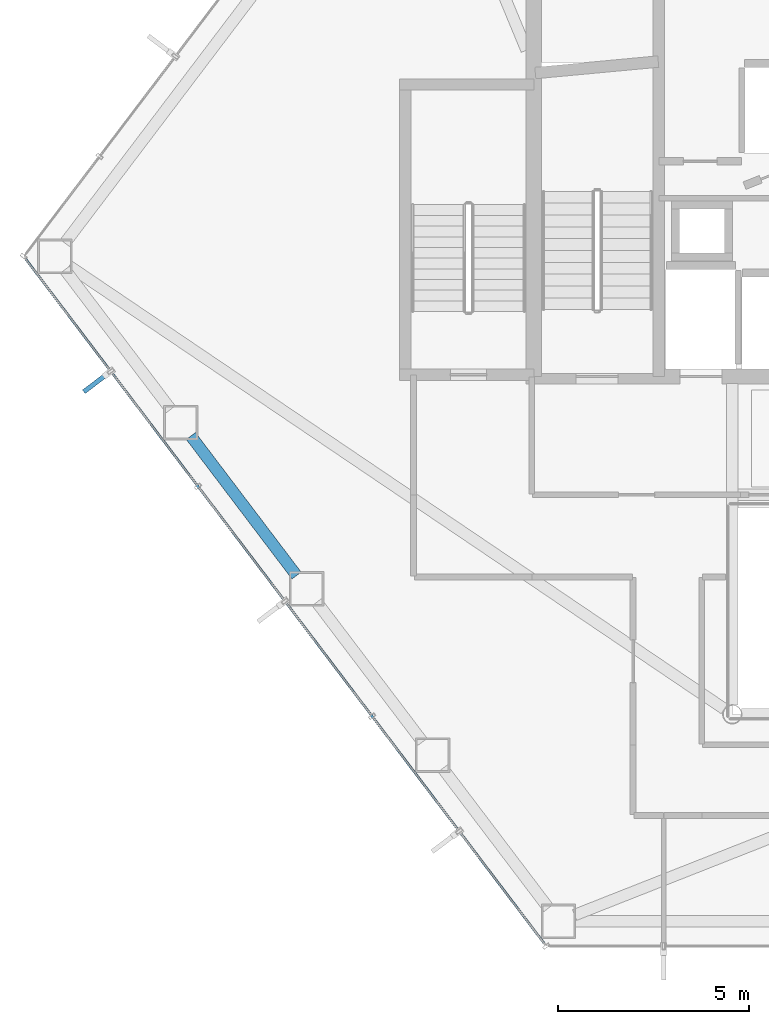
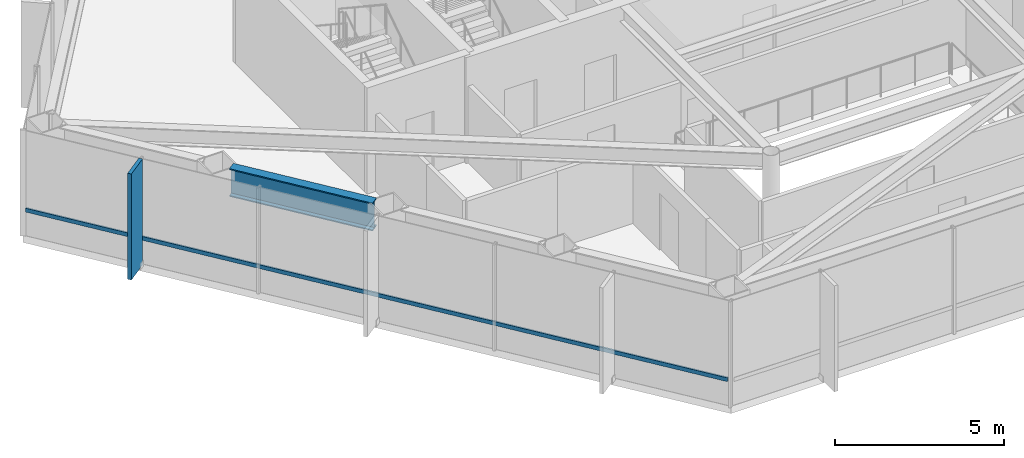
# One storey, part 3 of 24: 2 members, 1 beam, 1 element without a shape of its own.
"""IFC4 building model written with IfcOpenShell, lengths in metres."""

from ifc_helpers import new_model, si_unit, direction, frame, origin, origin_2d, place, context, subcontext, project, spatial, rectangle, hollow_rectangle, i_section, extrude, material, layer, layer_set, material_profile, profile_set, type_object, element, aggregate, save


model = new_model("IFC4")

# Units and contexts
model_context = context("Model", 3, precision=1e-05, world=origin(), true_north=direction((0.0, 1.0)))
body_context = subcontext(model_context, "Body", "Model", "MODEL_VIEW")
ifc_project = project(units=[si_unit("LENGTHUNIT", "METRE"), si_unit("AREAUNIT", "SQUARE_METRE"), si_unit("VOLUMEUNIT", "CUBIC_METRE"), si_unit("PLANEANGLEUNIT", "RADIAN"), si_unit("MASSUNIT", "GRAM", prefix="KILO")], contexts=[model_context])

# Site, building, storey
site_placement = place(None, origin())
site = spatial("IfcSite", under=ifc_project, at=site_placement, CompositionType="ELEMENT")
building_placement = place(site_placement, origin())
building = spatial("IfcBuilding", under=site, at=building_placement, Name="Zarrinselat Tower", CompositionType="ELEMENT")
storey_placement = place(building_placement, frame((0.0, 0.0, 100.97998046875)))
storey = spatial("IfcBuildingStorey", under=building, at=storey_placement, Name="L24", CompositionType="ELEMENT", Elevation=100.97998046875)

# Beam
ifc_material_1 = material(Name="Steel S460M", Category="steel")
ifc_material_profile_1 = material_profile(ifc_material_1, i_section(OverallWidth=0.302001953125, OverallDepth=1.008056640625, WebThickness=0.02099609375, FlangeThickness=0.0400390625, at=origin_2d()), Name="HEM 1000")
ifc_profile_set_1 = profile_set([ifc_material_profile_1], Name="Steel S460M")
beam_type = type_object("IfcBeamType", Name="BM-HEM1000", PredefinedType="BEAM", material=ifc_profile_set_1)
beam_placement = place(storey_placement, frame((19.61572265625, 31.69189453125, 3.31591796875), z_axis=(0.603833098178, -0.797110776206, 0.0), x_axis=(0.797110776206, 0.603833098178, 0.0)))
element("IfcBeam", 1, at=beam_placement, inside=storey, type_object=beam_type, Name="L24 Perimeter Spandrel Girder SP07", PredefinedType="BEAM", context=body_context, shape_type="SweptSolid", body=[
    extrude(i_section(OverallWidth=0.302001953125, OverallDepth=1.008056640625, WebThickness=0.02099609375, FlangeThickness=0.0400390625, at=origin_2d()), origin(), (0.0, 0.0, 1.0), 4.587890625),
])

# Curtain wall, members
ifc_material_2 = material(Name="Extruded Aluminium Alloy EN AW-6063 T6", Category="aluminium")
ifc_layer = layer(ifc_material_2, 0.18505859375)
ifc_layer_set = layer_set([ifc_layer], Name="Extruded Aluminium Alloy EN AW-6063 T6")
curtain_wall_type = type_object("IfcCurtainWallType", Name="CWS-OFF", PredefinedType="NOTDEFINED", material=ifc_layer_set)
curtain_wall_placement = place(storey_placement, origin())
curtain_wall = element("IfcCurtainWall", 2, at=curtain_wall_placement, inside=storey, type_object=curtain_wall_type, Name="L24 Unitised Curtain Wall CW-L24-E03", PredefinedType="NOTDEFINED")
ifc_material_3 = material(Name="Extruded Aluminium Alloy EN AW-6063 T6", Category="aluminium")
ifc_material_profile_2 = material_profile(ifc_material_3, hollow_rectangle(XDim=0.06005859375, YDim=0.139892578125, WallThickness=0.00390625, at=origin_2d()), Name="RHS 140x60x4")
ifc_profile_set_2 = profile_set([ifc_material_profile_2], Name="Extruded Aluminium Alloy EN AW-6063 T6")
member_type_1 = type_object("IfcMemberType", Name="MEM-CW-TRN", PredefinedType="USERDEFINED", material=ifc_profile_set_2)
member_1_placement = place(storey_placement, frame((15.290771484375, 36.32421875, 0.949951171875), z_axis=(0.603857478996, -0.797092306487, 0.0), x_axis=(0.797092306487, 0.603857478996, 0.0)))
member_1 = element("IfcMember", 3, at=member_1_placement, type_object=member_type_1, Name="CW-L24-E03 Transom 1", ObjectType="TRANSOM", PredefinedType="USERDEFINED", context=body_context, shape_type="SweptSolid", body=[
    extrude(hollow_rectangle(XDim=0.06005859375, YDim=0.139892578125, WallThickness=0.00390625, at=origin_2d()), origin(), (0.0, 0.0, 1.0), 22.490478515625),
])
ifc_material_4 = material(Name="Honed Cream Travertine Stone", Category="masonry")
ifc_material_profile_3 = material_profile(ifc_material_4, rectangle(XDim=0.1201171875, YDim=0.85009765625, at=origin_2d()), Name="FIN 850x120")
ifc_profile_set_3 = profile_set([ifc_material_profile_3], Name="Honed Cream Travertine Stone")
member_type_2 = type_object("IfcMemberType", Name="MEM-STONE-FIN", PredefinedType="USERDEFINED", material=ifc_profile_set_3)
member_2_placement = place(storey_placement, frame((17.1513671875, 33.1064453125, 0.0), z_axis=(0.0, 0.0, 1.0), x_axis=(-0.603857772927, 0.797092083812, 0.0)))
member_2 = element("IfcMember", 4, at=member_2_placement, type_object=member_type_2, Name="L24 Stone Shading Fin CW-L24-E03-01", ObjectType="FIN", PredefinedType="USERDEFINED", context=body_context, shape_type="SweptSolid", body=[
    extrude(rectangle(XDim=0.1201171875, YDim=0.85009765625, at=origin_2d()), origin(), (0.0, 0.0, 1.0), 3.820068359375),
])
aggregate(curtain_wall, [member_2, member_1])

save(model, "model.ifc")
